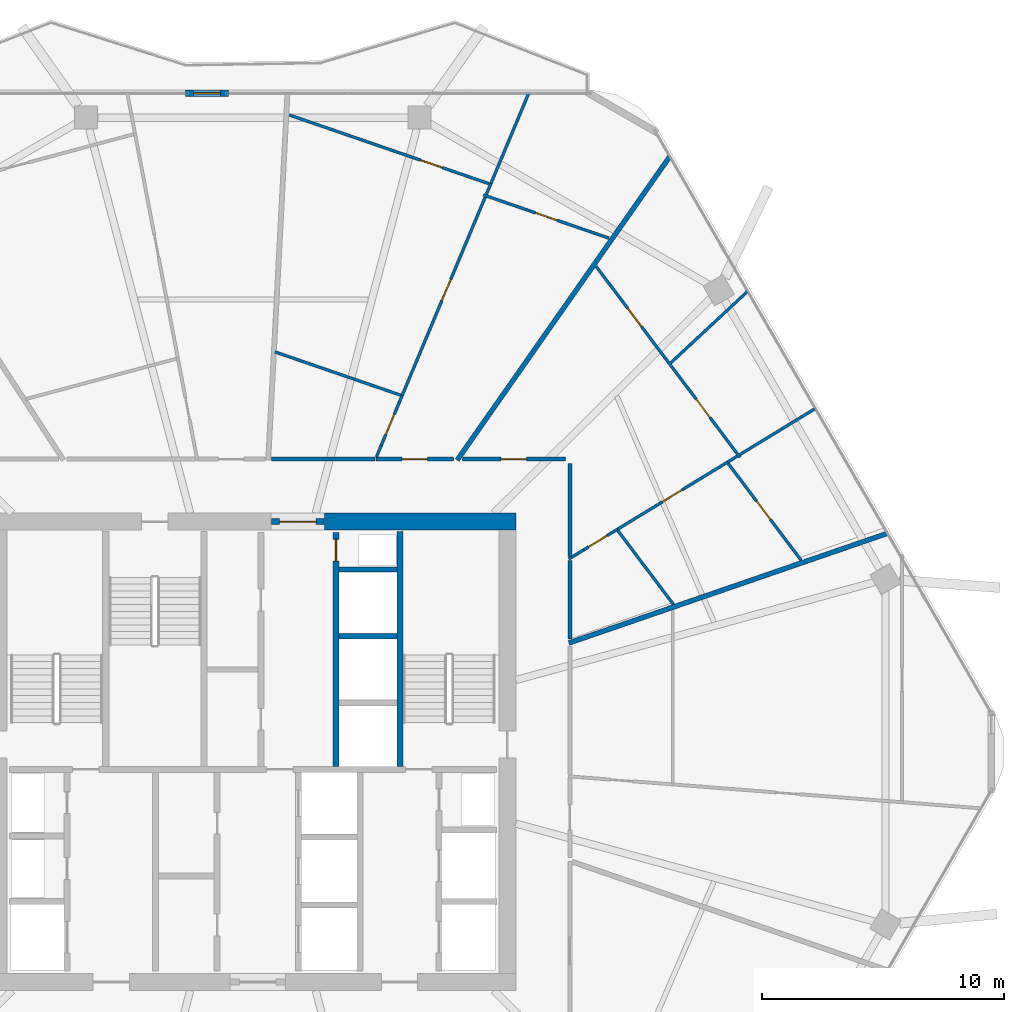
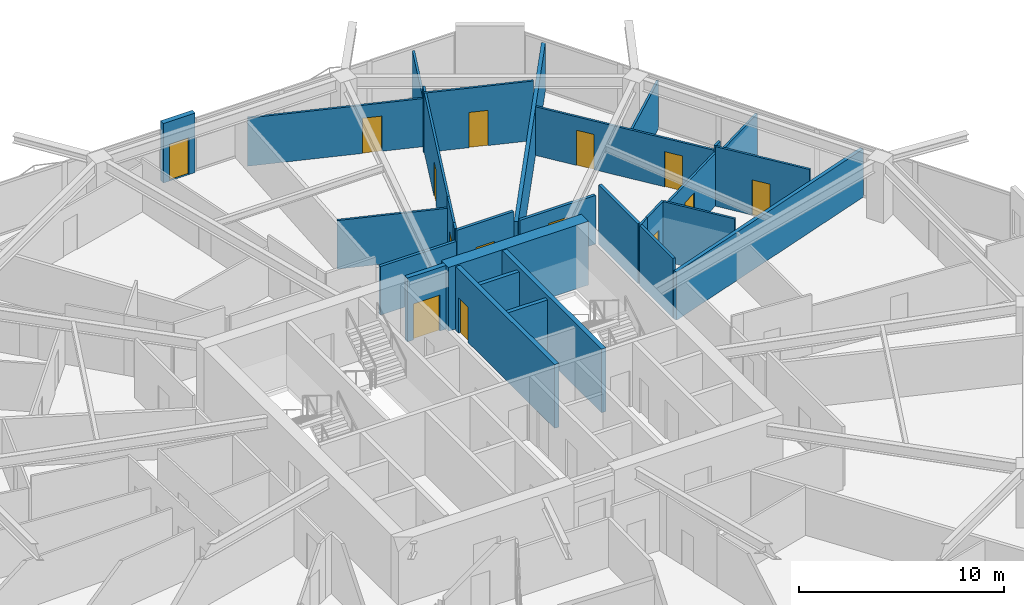
# One storey, part 23 of 27: 31 walls, 14 doors, 14 openings.
"""IFC4 building model written with IfcOpenShell, lengths in metres."""

from ifc_helpers import new_model, si_unit, direction, frame, frame_2d, origin, place, context, subcontext, project, spatial, rectangle, extrude, material, layer, layer_set, type_object, element, fill, save


model = new_model("IFC4")

# Units and contexts
model_context = context("Model", 3, precision=1e-05, world=origin(), true_north=direction((0.0, 1.0)))
body_context = subcontext(model_context, "Body", "Model", "MODEL_VIEW")
ifc_project = project(units=[si_unit("LENGTHUNIT", "METRE"), si_unit("AREAUNIT", "SQUARE_METRE"), si_unit("VOLUMEUNIT", "CUBIC_METRE"), si_unit("PLANEANGLEUNIT", "RADIAN"), si_unit("MASSUNIT", "GRAM", prefix="KILO")], contexts=[model_context])

# Site, building, storey
site_placement = place(None, origin())
site = spatial("IfcSite", under=ifc_project, at=site_placement, CompositionType="ELEMENT")
building_placement = place(site_placement, origin())
building = spatial("IfcBuilding", under=site, at=building_placement, Name="Zuhravey Tower", CompositionType="ELEMENT")
storey_placement = place(building_placement, frame((0.0, 0.0, 218.800048828125)))
storey = spatial("IfcBuildingStorey", under=building, at=storey_placement, Name="L55", CompositionType="ELEMENT", Elevation=218.800048828125)

# Wall
ifc_material_1 = material(Name="Concrete C60/75", Category="concrete")
ifc_layer_1 = layer(ifc_material_1, 0.699951171875)
ifc_layer_set_1 = layer_set([ifc_layer_1], Name="Concrete C60/75")
wall_type_1 = type_object("IfcWallType", Name="Core Shear Wall 700", PredefinedType="SHEAR", material=ifc_layer_set_1)
wall_1_placement = place(storey_placement, frame((46.85009765625, 41.5, 0.0), z_axis=(0.0, 0.0, 1.0), x_axis=(-1.0, 0.0, 0.0)))
element("IfcWall", 1, at=wall_1_placement, inside=storey, type_object=wall_type_1, Name="L55 North-East Core Shear Wall CW70", PredefinedType="SHEAR", context=body_context, shape_type="SweptSolid", body=[
    extrude(rectangle(XDim=7.900146484375, YDim=0.699951171875, at=frame_2d((3.9501953125, 0.0))), origin(), (0.0, 0.0, 1.0), 3.800048828125),
])

# Wall, opening, door
ifc_material_2 = material(Name="Gypsum fire-rated stud partition")
ifc_layer_2 = layer(ifc_material_2, 0.159912109375)
ifc_layer_set_2 = layer_set([ifc_layer_2], Name="Gypsum fire-rated stud partition")
wall_type_2 = type_object("IfcWallType", Name="Corridor Fire Partition 160", PredefinedType="PARTITIONING", material=ifc_layer_set_2)
wall_2_placement = place(storey_placement, frame((48.89990234375, 44.080078125, 0.0), z_axis=(0.0, 0.0, 1.0), x_axis=(-1.0, 0.0, 0.0)))
wall_2 = element("IfcWall", 2, at=wall_2_placement, inside=storey, type_object=wall_type_2, Name="L55 IW16 Partition 024", PredefinedType="PARTITIONING", context=body_context, shape_type="SweptSolid", body=[
    extrude(rectangle(XDim=4.2587890625, YDim=0.159912109375, at=frame_2d((2.12939453125, 0.0))), origin(), (0.0, 0.0, 1.0), 2.89990234375),
])
opening_1_placement = place(wall_2_placement, frame((1.6044921875, 0.0, 0.0)))
opening_1 = element("IfcOpeningElement", 3, at=opening_1_placement, cuts=wall_2, Name="Opening APD1", PredefinedType="OPENING", context=body_context, shape_type="SweptSolid", body=[
    extrude(rectangle(XDim=1.050048828125, YDim=2.14990234375, at=frame_2d((0.52490234375, 1.074951171875))), frame((0.0, 0.092041015625, 0.0), z_axis=(0.0, -1.0, 0.0), x_axis=(1.0, 0.0, 0.0)), (0.0, 0.0, 1.0), 0.183837890625),
])
ifc_material_3 = material(Name="Solid-core oak fire-rated leaf")
door_type_1 = type_object("IfcDoorType", Name="Apartment Entrance Fire Door 1050x2150", OperationType="NOTDEFINED", PredefinedType="DOOR", material=ifc_material_3)
door_1_placement = place(opening_1_placement, frame((1.050048828125, 0.0, 0.0), z_axis=(0.0, 0.0, 1.0), x_axis=(-1.0, 0.0, 0.0)))
door_1 = element("IfcDoor", 4, at=door_1_placement, inside=storey, type_object=door_type_1, Name="L55 Door 024.1", OperationType="SINGLE_SWING_RIGHT", OverallHeight=2.14990234375, OverallWidth=1.050048828125, PredefinedType="DOOR", context=body_context, shape_type="SweptSolid", body=[
    extrude(rectangle(XDim=1.050048828125, YDim=2.14990234375, at=frame_2d((0.52490234375, 1.074951171875))), frame((0.0, 0.02490234375, 0.0), z_axis=(0.0, -1.0, 0.0), x_axis=(1.0, 0.0, 0.0)), (0.0, 0.0, 1.0), 0.050048828125),
])
fill(opening_1, door_1)

wall_3_placement = place(storey_placement, frame((44.278076171875, 44.080078125, 0.0), z_axis=(0.0, 0.0, 1.0), x_axis=(-1.0, 0.0, 0.0)))
wall_3 = element("IfcWall", 5, at=wall_3_placement, inside=storey, type_object=wall_type_2, Name="L55 IW16 Partition 030", PredefinedType="PARTITIONING", context=body_context, shape_type="SweptSolid", body=[
    extrude(rectangle(XDim=3.1982421875, YDim=0.159912109375, at=frame_2d((1.59912109375, 0.0))), origin(), (0.0, 0.0, 1.0), 3.550048828125),
])
opening_2_placement = place(wall_3_placement, frame((1.07421875, 0.0, 0.0)))
opening_2 = element("IfcOpeningElement", 6, at=opening_2_placement, cuts=wall_3, Name="Opening APD1", PredefinedType="OPENING", context=body_context, shape_type="SweptSolid", body=[
    extrude(rectangle(XDim=1.050048828125, YDim=2.14990234375, at=frame_2d((0.52490234375, 1.074951171875))), frame((0.0, 0.092041015625, 0.0), z_axis=(0.0, -1.0, 0.0), x_axis=(1.0, 0.0, 0.0)), (0.0, 0.0, 1.0), 0.183837890625),
])
door_2_placement = place(opening_2_placement, frame((1.050048828125, 0.0, 0.0), z_axis=(0.0, 0.0, 1.0), x_axis=(-1.0, 0.0, 0.0)))
door_2 = element("IfcDoor", 7, at=door_2_placement, inside=storey, type_object=door_type_1, Name="L55 Door 030.1", OperationType="SINGLE_SWING_LEFT", OverallHeight=2.14990234375, OverallWidth=1.050048828125, PredefinedType="DOOR", context=body_context, shape_type="SweptSolid", body=[
    extrude(rectangle(XDim=1.050048828125, YDim=2.14990234375, at=frame_2d((0.52490234375, 1.074951171875))), frame((0.0, 0.02490234375, 0.0), z_axis=(0.0, -1.0, 0.0), x_axis=(1.0, 0.0, 0.0)), (0.0, 0.0, 1.0), 0.050048828125),
])
fill(opening_2, door_2)

# Walls
wall_4_placement = place(storey_placement, frame((49.080078125, 40.063720703125, 0.0), z_axis=(0.0, 0.0, 1.0), x_axis=(0.0, 1.0, 0.0)))
element("IfcWall", 8, at=wall_4_placement, inside=storey, type_object=wall_type_2, Name="L55 IW16 Partition 113", PredefinedType="PARTITIONING", context=body_context, shape_type="SweptSolid", body=[
    extrude(rectangle(XDim=3.836181640625, YDim=0.159912109375, at=frame_2d((1.91796875, 0.0))), origin(), (0.0, 0.0, 1.0), 3.550048828125),
])
wall_5_placement = place(storey_placement, frame((49.080078125, 36.653076171875, 0.0), z_axis=(0.0, 0.0, 1.0), x_axis=(0.0, 1.0, 0.0)))
element("IfcWall", 9, at=wall_5_placement, inside=storey, type_object=wall_type_2, Name="L55 IW16 Partition 114", PredefinedType="PARTITIONING", context=body_context, shape_type="SweptSolid", body=[
    extrude(rectangle(XDim=3.251220703125, YDim=0.159912109375, at=frame_2d((1.62548828125, 0.0))), origin(), (0.0, 0.0, 1.0), 3.550048828125),
])
wall_6_placement = place(storey_placement, frame((41.036376953125, 44.080078125, 0.0), z_axis=(0.0, 0.0, 1.0), x_axis=(-1.0, 0.0, 0.0)))
element("IfcWall", 10, at=wall_6_placement, inside=storey, type_object=wall_type_2, Name="L55 IW16 Partition 115", PredefinedType="PARTITIONING", context=body_context, shape_type="SweptSolid", body=[
    extrude(rectangle(XDim=4.277587890625, YDim=0.159912109375, at=frame_2d((2.138671875, 0.0))), origin(), (0.0, 0.0, 1.0), 2.89990234375),
])

# Wall, opening, door
ifc_material_4 = material(Name="Precast concrete C40/50", Category="concrete")
ifc_layer_3 = layer(ifc_material_4, 0.280029296875)
ifc_layer_set_3 = layer_set([ifc_layer_3], Name="Precast concrete C40/50")
wall_type_3 = type_object("IfcWallType", Name="Crown Architectural Wall 280", PredefinedType="SOLIDWALL", material=ifc_layer_set_3)
wall_7_placement = place(storey_placement, frame((33.20703125, 59.18310546875, 0.0), z_axis=(0.0, 0.0, 1.0), x_axis=(1.0, 0.0, 0.0)))
wall_7 = element("IfcWall", 11, at=wall_7_placement, inside=storey, type_object=wall_type_3, Name="L55 Face 2 Facade Pier EW28-1", PredefinedType="SOLIDWALL", context=body_context, shape_type="SweptSolid", body=[
    extrude(rectangle(XDim=1.7900390625, YDim=0.280029296875, at=frame_2d((0.89501953125, 0.0))), origin(), (0.0, 0.0, 1.0), 3.550048828125),
])
opening_3_placement = place(wall_7_placement, frame((0.344970703125, 0.0, 0.0)))
opening_3 = element("IfcOpeningElement", 12, at=opening_3_placement, cuts=wall_7, Name="Opening BLD1", PredefinedType="OPENING", context=body_context, shape_type="SweptSolid", body=[
    extrude(rectangle(XDim=1.10009765625, YDim=2.199951171875, at=frame_2d((0.550048828125, 1.10009765625))), frame((0.0, 0.152099609375, 0.0), z_axis=(0.0, -1.0, 0.0), x_axis=(1.0, 0.0, 0.0)), (0.0, 0.0, 1.0), 0.303955078125),
])
ifc_material_5 = material(Name="Thermally broken aluminium and low-E glass", Category="aluminium")
door_type_2 = type_object("IfcDoorType", Name="Balcony & Sky-Tray Glazed Door 1100x2200", OperationType="NOTDEFINED", PredefinedType="DOOR", material=ifc_material_5)
door_3_placement = place(opening_3_placement, frame((1.10009765625, 0.0, 0.0), z_axis=(0.0, 0.0, 1.0), x_axis=(-1.0, 0.0, 0.0)))
door_3 = element("IfcDoor", 13, at=door_3_placement, inside=storey, type_object=door_type_2, Name="L55 Face 2 Wave Balcony Door", OperationType="SINGLE_SWING_RIGHT", OverallHeight=2.199951171875, OverallWidth=1.10009765625, PredefinedType="DOOR", context=body_context, shape_type="SweptSolid", body=[
    extrude(rectangle(XDim=1.10009765625, YDim=2.199951171875, at=frame_2d((0.550048828125, 1.10009765625))), frame((0.0, 0.02490234375, 0.0), z_axis=(0.0, -1.0, 0.0), x_axis=(1.0, 0.0, 0.0)), (0.0, 0.0, 1.0), 0.050048828125),
])
fill(opening_3, door_3)

ifc_material_6 = material(Name="Concrete C50/60", Category="concrete")
ifc_layer_4 = layer(ifc_material_6, 0.25)
ifc_layer_set_4 = layer_set([ifc_layer_4], Name="Concrete C50/60")
wall_type_4 = type_object("IfcWallType", Name="Firefighting Shaft & Stair Wall 250", PredefinedType="SOLIDWALL", material=ifc_layer_set_4)
wall_8_placement = place(storey_placement, frame((36.760009765625, 41.5, 0.0), z_axis=(0.0, 0.0, 1.0), x_axis=(1.0, 0.0, 0.0)))
wall_8 = element("IfcWall", 14, at=wall_8_placement, inside=storey, type_object=wall_type_4, Name="L55 FW25 Shaft Wall 002", PredefinedType="SOLIDWALL", context=body_context, shape_type="SweptSolid", body=[
    extrude(rectangle(XDim=2.179931640625, YDim=0.25, at=frame_2d((1.08984375, 0.0))), origin(), (0.0, 0.0, 1.0), 3.800048828125),
])
opening_4_placement = place(wall_8_placement, frame((0.340087890625, 0.0, 0.0)))
opening_4 = element("IfcOpeningElement", 15, at=opening_4_placement, cuts=wall_8, Name="Opening FFD1", PredefinedType="OPENING", context=body_context, shape_type="SweptSolid", body=[
    extrude(rectangle(XDim=1.5, YDim=2.14990234375, at=frame_2d((0.75, 1.074951171875))), frame((0.0, 0.136962890625, 0.0), z_axis=(0.0, -1.0, 0.0), x_axis=(1.0, 0.0, 0.0)), (0.0, 0.0, 1.0), 0.27392578125),
])
ifc_material_7 = material(Name="Galvanised fire-rated steel leaf", Category="steel")
door_type_3 = type_object("IfcDoorType", Name="Firefighting Lobby Double Door 1500x2150", OperationType="DOUBLE_DOOR_SINGLE_SWING", PredefinedType="DOOR", material=ifc_material_7)
door_4_placement = place(opening_4_placement, origin())
door_4 = element("IfcDoor", 16, at=door_4_placement, inside=storey, type_object=door_type_3, Name="L55 North Lift Lobby Exit Door", OperationType="DOUBLE_DOOR_SINGLE_SWING", OverallHeight=2.14990234375, OverallWidth=1.5, PredefinedType="DOOR", context=body_context, shape_type="SweptSolid", body=[
    extrude(rectangle(XDim=1.5, YDim=2.14990234375, at=frame_2d((0.75, 1.074951171875))), frame((0.0, 0.02490234375, 0.0), z_axis=(0.0, -1.0, 0.0), x_axis=(1.0, 0.0, 0.0)), (0.0, 0.0, 1.0), 0.050048828125),
])
fill(opening_4, door_4)

# Wall
wall_9_placement = place(storey_placement, frame((42.074951171875, 31.39990234375, 0.0), z_axis=(0.0, 0.0, 1.0), x_axis=(0.0, 1.0, 0.0)))
element("IfcWall", 17, at=wall_9_placement, inside=storey, type_object=wall_type_4, Name="L55 FW25 Shaft Wall 006", PredefinedType="SOLIDWALL", context=body_context, shape_type="SweptSolid", body=[
    extrude(rectangle(XDim=9.7001953125, YDim=0.25, at=frame_2d((4.85009765625, 0.0))), origin(), (0.0, 0.0, 1.0), 3.800048828125),
])

# Wall, opening, door
wall_10_placement = place(storey_placement, frame((39.425048828125, 31.39990234375, 0.0), z_axis=(0.0, 0.0, 1.0), x_axis=(0.0, 1.0, 0.0)))
wall_10 = element("IfcWall", 18, at=wall_10_placement, inside=storey, type_object=wall_type_4, Name="L55 FW25 Shaft Wall 008", PredefinedType="SOLIDWALL", context=body_context, shape_type="SweptSolid", body=[
    extrude(rectangle(XDim=9.650146484375, YDim=0.25, at=frame_2d((4.8251953125, 0.0))), origin(), (0.0, 0.0, 1.0), 3.800048828125),
])
opening_5_placement = place(wall_10_placement, frame((8.469970703125, 0.0, 0.0)))
opening_5 = element("IfcOpeningElement", 19, at=opening_5_placement, cuts=wall_10, Name="Opening RSD1", PredefinedType="OPENING", context=body_context, shape_type="SweptSolid", body=[
    extrude(rectangle(XDim=0.89990234375, YDim=2.10009765625, at=frame_2d((0.449951171875, 1.050048828125))), frame((0.0, 0.136962890625, 0.0), z_axis=(0.0, -1.0, 0.0), x_axis=(1.0, 0.0, 0.0)), (0.0, 0.0, 1.0), 0.27392578125),
])
ifc_material_8 = material(Name="Galvanised fire-rated steel access leaf", Category="steel")
door_type_4 = type_object("IfcDoorType", Name="Riser & Shaft Access Fire Door 900x2100", OperationType="NOTDEFINED", PredefinedType="DOOR", material=ifc_material_8)
door_5_placement = place(opening_5_placement, origin())
door_5 = element("IfcDoor", 20, at=door_5_placement, inside=storey, type_object=door_type_4, Name="L55 North Riser Door", OperationType="SINGLE_SWING_LEFT", OverallHeight=2.10009765625, OverallWidth=0.89990234375, PredefinedType="DOOR", context=body_context, shape_type="SweptSolid", body=[
    extrude(rectangle(XDim=0.89990234375, YDim=2.10009765625, at=frame_2d((0.449951171875, 1.050048828125))), frame((0.0, 0.02490234375, 0.0), z_axis=(0.0, -1.0, 0.0), x_axis=(1.0, 0.0, 0.0)), (0.0, 0.0, 1.0), 0.050048828125),
])
fill(opening_5, door_5)

# Walls
ifc_material_9 = material(Name="Gypsum double-stud party assembly")
ifc_layer_5 = layer(ifc_material_9, 0.199951171875)
ifc_layer_set_5 = layer_set([ifc_layer_5], Name="Gypsum double-stud party assembly")
wall_type_5 = type_object("IfcWallType", Name="Inter-Tenancy Party Wall 200", PredefinedType="PARTITIONING", material=ifc_layer_set_5)
wall_11_placement = place(storey_placement, frame((49.0400390625, 36.489990234375, 0.0), z_axis=(0.0, 0.0, 1.0), x_axis=(0.94551604925, 0.325575491417, 0.0)))
element("IfcWall", 21, at=wall_11_placement, inside=storey, type_object=wall_type_5, Name="L55 IW20 Partition 069", PredefinedType="PARTITIONING", context=body_context, shape_type="SweptSolid", body=[
    extrude(rectangle(XDim=13.900390625, YDim=0.199951171875, at=frame_2d((6.9501953125, 0.0))), origin(), (0.0, 0.0, 1.0), 2.869873046875),
])
wall_12_placement = place(storey_placement, frame((44.430419921875, 44.0400390625, 0.0), z_axis=(0.0, 0.0, 1.0), x_axis=(0.573576964884, 0.819151674206, 0.0)))
element("IfcWall", 22, at=wall_12_placement, inside=storey, type_object=wall_type_5, Name="L55 IW20 Partition 075", PredefinedType="PARTITIONING", context=body_context, shape_type="SweptSolid", body=[
    extrude(rectangle(XDim=15.295166015625, YDim=0.199951171875, at=frame_2d((7.6474609375, 0.0))), origin(), (0.0, 0.0, 1.0), 2.869873046875),
])
ifc_material_10 = material(Name="Gypsum acoustic stud assembly")
ifc_layer_6 = layer(ifc_material_10, 0.219970703125)
ifc_layer_set_6 = layer_set([ifc_layer_6], Name="Gypsum acoustic stud assembly")
wall_type_6 = type_object("IfcWallType", Name="School Acoustic Compartment Wall 220", PredefinedType="PARTITIONING", material=ifc_layer_set_6)
for number, where, z_axis, x_axis, name in (
    (23, (39.55810546875, 36.77490234375, 0.0), (0.0, 0.0, 1.0), (1.0, 0.0, 0.0), "L55 IW22 Partition 065"),
    (24, (39.55810546875, 39.52490234375, 0.0), (0.0, 0.0, 1.0), (1.0, 0.0, 0.0), "L55 IW22 Partition 066"),
):
    element("IfcWall", number, at=place(storey_placement, frame(where, z_axis=z_axis, x_axis=x_axis)), inside=storey, type_object=wall_type_6, Name=name, PredefinedType="PARTITIONING", context=body_context, shape_type="SweptSolid", body=[
        extrude(rectangle(XDim=2.3837890625, YDim=0.219970703125, at=frame_2d((1.19189453125, 0.0))), origin(), (0.0, 0.0, 1.0), 3.550048828125),
    ])

# Wall, openings, doors
ifc_material_11 = material(Name="Gypsum metal-stud partition")
ifc_layer_7 = layer(ifc_material_11, 0.1201171875)
ifc_layer_set_7 = layer_set([ifc_layer_7], Name="Gypsum metal-stud partition")
wall_type_7 = type_object("IfcWallType", Name="Unit Internal Partition 120", PredefinedType="PARTITIONING", material=ifc_layer_set_7)
wall_13_placement = place(storey_placement, frame((56.10205078125, 44.1533203125, 0.0), z_axis=(0.0, 0.0, 1.0), x_axis=(-0.601823931742, 0.798628796865, 0.0)))
wall_13 = element("IfcWall", 25, at=wall_13_placement, inside=storey, type_object=wall_type_7, Name="L55 IW12 Partition 020", PredefinedType="PARTITIONING", context=body_context, shape_type="SweptSolid", body=[
    extrude(rectangle(XDim=9.86474609375, YDim=0.1201171875, at=frame_2d((4.932373046875, 0.0))), origin(), (0.0, 0.0, 1.0), 2.89990234375),
])
opening_6_placement = place(wall_13_placement, frame((2.059326171875, 0.0, 0.0)))
opening_6 = element("IfcOpeningElement", 26, at=opening_6_placement, cuts=wall_13, Name="Opening IND1", PredefinedType="OPENING", context=body_context, shape_type="SweptSolid", body=[
    extrude(rectangle(XDim=0.949951171875, YDim=2.10009765625, at=frame_2d((0.47509765625, 1.050048828125))), frame((0.0, 0.072021484375, 0.0), z_axis=(0.0, -1.0, 0.0), x_axis=(1.0, 0.0, 0.0)), (0.0, 0.0, 1.0), 0.14404296875),
])
opening_7_placement = place(wall_13_placement, frame((6.7509765625, 0.0, 0.0)))
opening_7 = element("IfcOpeningElement", 27, at=opening_7_placement, cuts=wall_13, Name="Opening IND1", PredefinedType="OPENING", context=body_context, shape_type="SweptSolid", body=[
    extrude(rectangle(XDim=0.949951171875, YDim=2.10009765625, at=frame_2d((0.47509765625, 1.050048828125))), frame((0.0, 0.072021484375, 0.0), z_axis=(0.0, -1.0, 0.0), x_axis=(1.0, 0.0, 0.0)), (0.0, 0.0, 1.0), 0.14404296875),
])
ifc_material_12 = material(Name="Painted engineered timber leaf", Category="wood")
door_type_5 = type_object("IfcDoorType", Name="Internal Room & Bedroom Door 950x2100", OperationType="NOTDEFINED", PredefinedType="DOOR", material=ifc_material_12)
door_6_placement = place(opening_6_placement, frame((0.949951171875, 0.0, 0.0), z_axis=(0.0, 0.0, 1.0), x_axis=(-1.0, 0.0, 0.0)))
door_6 = element("IfcDoor", 28, at=door_6_placement, inside=storey, type_object=door_type_5, Name="Apartment L55-01 Family Study Door", OperationType="SINGLE_SWING_LEFT", OverallHeight=2.10009765625, OverallWidth=0.949951171875, PredefinedType="DOOR", context=body_context, shape_type="SweptSolid", body=[
    extrude(rectangle(XDim=0.949951171875, YDim=2.10009765625, at=frame_2d((0.47509765625, 1.050048828125))), frame((0.0, 0.02490234375, 0.0), z_axis=(0.0, -1.0, 0.0), x_axis=(1.0, 0.0, 0.0)), (0.0, 0.0, 1.0), 0.050048828125),
])
fill(opening_6, door_6)
door_7_placement = place(opening_7_placement, frame((0.949951171875, 0.0, 0.0), z_axis=(0.0, 0.0, 1.0), x_axis=(-1.0, 0.0, 0.0)))
door_7 = element("IfcDoor", 29, at=door_7_placement, inside=storey, type_object=door_type_5, Name="Apartment L55-01 Dining Room Door", OperationType="SINGLE_SWING_RIGHT", OverallHeight=2.10009765625, OverallWidth=0.949951171875, PredefinedType="DOOR", context=body_context, shape_type="SweptSolid", body=[
    extrude(rectangle(XDim=0.949951171875, YDim=2.10009765625, at=frame_2d((0.47509765625, 1.050048828125))), frame((0.0, 0.02490234375, 0.0), z_axis=(0.0, -1.0, 0.0), x_axis=(1.0, 0.0, 0.0)), (0.0, 0.0, 1.0), 0.050048828125),
])
fill(opening_7, door_7)

# Wall, opening, door
wall_14_placement = place(storey_placement, frame((49.64990234375, 40.33203125, 0.0), z_axis=(0.0, 0.0, 1.0), x_axis=(0.853576385117, 0.520967709911, 0.0)))
wall_14 = element("IfcWall", 30, at=wall_14_placement, inside=storey, type_object=wall_type_7, Name="L55 IW12 Partition 021", PredefinedType="PARTITIONING", context=body_context, shape_type="SweptSolid", body=[
    extrude(rectangle(XDim=1.638427734375, YDim=0.1201171875, at=frame_2d((0.8193359375, 0.0))), origin(), (0.0, 0.0, 1.0), 3.550048828125),
])
opening_8_placement = place(wall_14_placement, frame((0.238037109375, 0.0, 0.0)))
opening_8 = element("IfcOpeningElement", 31, at=opening_8_placement, cuts=wall_14, Name="Opening WCD1", PredefinedType="OPENING", context=body_context, shape_type="SweptSolid", body=[
    extrude(rectangle(XDim=0.89990234375, YDim=2.10009765625, at=frame_2d((0.449951171875, 1.050048828125))), frame((0.0, 0.072021484375, 0.0), z_axis=(0.0, -1.0, 0.0), x_axis=(1.0, 0.0, 0.0)), (0.0, 0.0, 1.0), 0.14404296875),
])
ifc_material_13 = material(Name="Moisture-resistant timber leaf", Category="wood")
door_type_6 = type_object("IfcDoorType", Name="Bathroom & WC Internal Door 900x2100", OperationType="NOTDEFINED", PredefinedType="DOOR", material=ifc_material_13)
door_8_placement = place(opening_8_placement, frame((0.89990234375, 0.0, 0.0), z_axis=(0.0, 0.0, 1.0), x_axis=(-1.0, 0.0, 0.0)))
door_8 = element("IfcDoor", 32, at=door_8_placement, inside=storey, type_object=door_type_6, Name="Apartment L55-01 Bathroom Door", OperationType="SINGLE_SWING_LEFT", OverallHeight=2.10009765625, OverallWidth=0.89990234375, PredefinedType="DOOR", context=body_context, shape_type="SweptSolid", body=[
    extrude(rectangle(XDim=0.89990234375, YDim=2.10009765625, at=frame_2d((0.449951171875, 1.050048828125))), frame((0.0, 0.02490234375, 0.0), z_axis=(0.0, -1.0, 0.0), x_axis=(1.0, 0.0, 0.0)), (0.0, 0.0, 1.0), 0.050048828125),
])
fill(opening_8, door_8)

wall_15_placement = place(storey_placement, frame((51.04833984375, 41.185546875, 0.0), z_axis=(0.0, 0.0, 1.0), x_axis=(0.853552291935, 0.521007183187, 0.0)))
wall_15 = element("IfcWall", 33, at=wall_15_placement, inside=storey, type_object=wall_type_7, Name="L55 IW12 Partition 022", PredefinedType="PARTITIONING", context=body_context, shape_type="SweptSolid", body=[
    extrude(rectangle(XDim=5.330810546875, YDim=0.1201171875, at=frame_2d((2.66552734375, 0.0))), origin(), (0.0, 0.0, 1.0), 3.14990234375),
])
opening_9_placement = place(wall_15_placement, frame((2.165283203125, 0.0, 0.0)))
opening_9 = element("IfcOpeningElement", 34, at=opening_9_placement, cuts=wall_15, Name="Opening IND1", PredefinedType="OPENING", context=body_context, shape_type="SweptSolid", body=[
    extrude(rectangle(XDim=0.949951171875, YDim=2.10009765625, at=frame_2d((0.47509765625, 1.050048828125))), frame((0.0, 0.072021484375, 0.0), z_axis=(0.0, -1.0, 0.0), x_axis=(1.0, 0.0, 0.0)), (0.0, 0.0, 1.0), 0.14404296875),
])
door_9_placement = place(opening_9_placement, frame((0.949951171875, 0.0, 0.0), z_axis=(0.0, 0.0, 1.0), x_axis=(-1.0, 0.0, 0.0)))
door_9 = element("IfcDoor", 35, at=door_9_placement, inside=storey, type_object=door_type_5, Name="Apartment L55-01 Home Office Door", OperationType="SINGLE_SWING_RIGHT", OverallHeight=2.10009765625, OverallWidth=0.949951171875, PredefinedType="DOOR", context=body_context, shape_type="SweptSolid", body=[
    extrude(rectangle(XDim=0.949951171875, YDim=2.10009765625, at=frame_2d((0.47509765625, 1.050048828125))), frame((0.0, 0.02490234375, 0.0), z_axis=(0.0, -1.0, 0.0), x_axis=(1.0, 0.0, 0.0)), (0.0, 0.0, 1.0), 0.050048828125),
])
fill(opening_9, door_9)

wall_16_placement = place(storey_placement, frame((58.62451171875, 39.90576171875, 0.0), z_axis=(0.0, 0.0, 1.0), x_axis=(-0.60182042423, 0.798631440015, 0.0)))
wall_16 = element("IfcWall", 36, at=wall_16_placement, inside=storey, type_object=wall_type_7, Name="L55 IW12 Partition 023", PredefinedType="PARTITIONING", context=body_context, shape_type="SweptSolid", body=[
    extrude(rectangle(XDim=4.995361328125, YDim=0.1201171875, at=frame_2d((2.49755859375, 0.0))), origin(), (0.0, 0.0, 1.0), 3.550048828125),
])
opening_10_placement = place(wall_16_placement, frame((2.107177734375, 0.0, 0.0)))
opening_10 = element("IfcOpeningElement", 37, at=opening_10_placement, cuts=wall_16, Name="Opening IND1", PredefinedType="OPENING", context=body_context, shape_type="SweptSolid", body=[
    extrude(rectangle(XDim=0.949951171875, YDim=2.10009765625, at=frame_2d((0.47509765625, 1.050048828125))), frame((0.0, 0.072021484375, 0.0), z_axis=(0.0, -1.0, 0.0), x_axis=(1.0, 0.0, 0.0)), (0.0, 0.0, 1.0), 0.14404296875),
])
door_10_placement = place(opening_10_placement, frame((0.949951171875, 0.0, 0.0), z_axis=(0.0, 0.0, 1.0), x_axis=(-1.0, 0.0, 0.0)))
door_10 = element("IfcDoor", 38, at=door_10_placement, inside=storey, type_object=door_type_5, Name="Apartment L55-01 Bedroom 1 Door", OperationType="SINGLE_SWING_LEFT", OverallHeight=2.10009765625, OverallWidth=0.949951171875, PredefinedType="DOOR", context=body_context, shape_type="SweptSolid", body=[
    extrude(rectangle(XDim=0.949951171875, YDim=2.10009765625, at=frame_2d((0.47509765625, 1.050048828125))), frame((0.0, 0.02490234375, 0.0), z_axis=(0.0, -1.0, 0.0), x_axis=(1.0, 0.0, 0.0)), (0.0, 0.0, 1.0), 0.050048828125),
])
fill(opening_10, door_10)

wall_17_placement = place(storey_placement, frame((50.692138671875, 53.20068359375, 0.0), z_axis=(0.0, 0.0, 1.0), x_axis=(-0.945511260009, 0.325589399698, 0.0)))
wall_17 = element("IfcWall", 39, at=wall_17_placement, inside=storey, type_object=wall_type_7, Name="L55 IW12 Partition 025", PredefinedType="PARTITIONING", context=body_context, shape_type="SweptSolid", body=[
    extrude(rectangle(XDim=5.475341796875, YDim=0.1201171875, at=frame_2d((2.73779296875, 0.0))), origin(), (0.0, 0.0, 1.0), 3.550048828125),
])
opening_11_placement = place(wall_17_placement, frame((2.2626953125, 0.0, 0.0)))
opening_11 = element("IfcOpeningElement", 40, at=opening_11_placement, cuts=wall_17, Name="Opening IND1", PredefinedType="OPENING", context=body_context, shape_type="SweptSolid", body=[
    extrude(rectangle(XDim=0.949951171875, YDim=2.10009765625, at=frame_2d((0.47509765625, 1.050048828125))), frame((0.0, 0.072021484375, 0.0), z_axis=(0.0, -1.0, 0.0), x_axis=(1.0, 0.0, 0.0)), (0.0, 0.0, 1.0), 0.14404296875),
])
door_11_placement = place(opening_11_placement, frame((0.949951171875, 0.0, 0.0), z_axis=(0.0, 0.0, 1.0), x_axis=(-1.0, 0.0, 0.0)))
door_11 = element("IfcDoor", 41, at=door_11_placement, inside=storey, type_object=door_type_5, Name="Apartment L55-02 Family Study Door", OperationType="SINGLE_SWING_LEFT", OverallHeight=2.10009765625, OverallWidth=0.949951171875, PredefinedType="DOOR", context=body_context, shape_type="SweptSolid", body=[
    extrude(rectangle(XDim=0.949951171875, YDim=2.10009765625, at=frame_2d((0.47509765625, 1.050048828125))), frame((0.0, 0.02490234375, 0.0), z_axis=(0.0, -1.0, 0.0), x_axis=(1.0, 0.0, 0.0)), (0.0, 0.0, 1.0), 0.050048828125),
])
fill(opening_11, door_11)

wall_18_placement = place(storey_placement, frame((41.296875, 44.64990234375, 0.0), z_axis=(0.0, 0.0, 1.0), x_axis=(0.386243492927, 0.922396858284, 0.0)))
wall_18 = element("IfcWall", 42, at=wall_18_placement, inside=storey, type_object=wall_type_7, Name="L55 IW12 Partition 026", PredefinedType="PARTITIONING", context=body_context, shape_type="SweptSolid", body=[
    extrude(rectangle(XDim=2.245849609375, YDim=0.1201171875, at=frame_2d((1.123046875, 0.0))), origin(), (0.0, 0.0, 1.0), 3.550048828125),
])
opening_12_placement = place(wall_18_placement, frame((0.4931640625, 0.0, 0.0)))
opening_12 = element("IfcOpeningElement", 43, at=opening_12_placement, cuts=wall_18, Name="Opening WCD1", PredefinedType="OPENING", context=body_context, shape_type="SweptSolid", body=[
    extrude(rectangle(XDim=0.89990234375, YDim=2.10009765625, at=frame_2d((0.449951171875, 1.050048828125))), frame((0.0, 0.072021484375, 0.0), z_axis=(0.0, -1.0, 0.0), x_axis=(1.0, 0.0, 0.0)), (0.0, 0.0, 1.0), 0.14404296875),
])
door_12_placement = place(opening_12_placement, origin())
door_12 = element("IfcDoor", 44, at=door_12_placement, inside=storey, type_object=door_type_6, Name="Apartment L55-02 Bathroom Door", OperationType="SINGLE_SWING_RIGHT", OverallHeight=2.10009765625, OverallWidth=0.89990234375, PredefinedType="DOOR", context=body_context, shape_type="SweptSolid", body=[
    extrude(rectangle(XDim=0.89990234375, YDim=2.10009765625, at=frame_2d((0.449951171875, 1.050048828125))), frame((0.0, 0.02490234375, 0.0), z_axis=(0.0, -1.0, 0.0), x_axis=(1.0, 0.0, 0.0)), (0.0, 0.0, 1.0), 0.050048828125),
])
fill(opening_12, door_12)

wall_19_placement = place(storey_placement, frame((42.164306640625, 46.721435546875, 0.0), z_axis=(0.0, 0.0, 1.0), x_axis=(0.386200840547, 0.922414717337, 0.0)))
wall_19 = element("IfcWall", 45, at=wall_19_placement, inside=storey, type_object=wall_type_7, Name="L55 IW12 Partition 027", PredefinedType="PARTITIONING", context=body_context, shape_type="SweptSolid", body=[
    extrude(rectangle(XDim=8.853515625, YDim=0.1201171875, at=frame_2d((4.4267578125, 0.0))), origin(), (0.0, 0.0, 1.0), 3.550048828125),
])
opening_13_placement = place(wall_19_placement, frame((4.2294921875, 0.0, 0.0)))
opening_13 = element("IfcOpeningElement", 46, at=opening_13_placement, cuts=wall_19, Name="Opening IND1", PredefinedType="OPENING", context=body_context, shape_type="SweptSolid", body=[
    extrude(rectangle(XDim=0.949951171875, YDim=2.10009765625, at=frame_2d((0.47509765625, 1.050048828125))), frame((0.0, 0.072021484375, 0.0), z_axis=(0.0, -1.0, 0.0), x_axis=(1.0, 0.0, 0.0)), (0.0, 0.0, 1.0), 0.14404296875),
])
door_13_placement = place(opening_13_placement, origin())
door_13 = element("IfcDoor", 47, at=door_13_placement, inside=storey, type_object=door_type_5, Name="Apartment L55-02 Home Office Door", OperationType="SINGLE_SWING_LEFT", OverallHeight=2.10009765625, OverallWidth=0.949951171875, PredefinedType="DOOR", context=body_context, shape_type="SweptSolid", body=[
    extrude(rectangle(XDim=0.949951171875, YDim=2.10009765625, at=frame_2d((0.47509765625, 1.050048828125))), frame((0.0, 0.02490234375, 0.0), z_axis=(0.0, -1.0, 0.0), x_axis=(1.0, 0.0, 0.0)), (0.0, 0.0, 1.0), 0.050048828125),
])
fill(opening_13, door_13)

# Wall
wall_20_placement = place(storey_placement, frame((45.63623046875, 55.013671875, 0.0), z_axis=(0.0, 0.0, 1.0), x_axis=(0.38631298857, 0.922367754674, 0.0)))
element("IfcWall", 48, at=wall_20_placement, inside=storey, type_object=wall_type_7, Name="L55 IW12 Partition 028", PredefinedType="PARTITIONING", context=body_context, shape_type="SweptSolid", body=[
    extrude(rectangle(XDim=0.469482421875, YDim=0.1201171875, at=frame_2d((0.23486328125, 0.0))), origin(), (0.0, 0.0, 1.0), 3.550048828125),
])

# Wall, opening, door
wall_21_placement = place(storey_placement, frame((45.743408203125, 55.44580078125, 0.0), z_axis=(0.0, 0.0, 1.0), x_axis=(-0.945509015954, 0.325595916358, 0.0)))
wall_21 = element("IfcWall", 49, at=wall_21_placement, inside=storey, type_object=wall_type_7, Name="L55 IW12 Partition 029", PredefinedType="PARTITIONING", context=body_context, shape_type="SweptSolid", body=[
    extrude(rectangle(XDim=8.710693359375, YDim=0.1201171875, at=frame_2d((4.35546875, 0.0))), origin(), (0.0, 0.0, 1.0), 2.869873046875),
])
opening_14_placement = place(wall_21_placement, frame((2.0400390625, 0.0, 0.0)))
opening_14 = element("IfcOpeningElement", 50, at=opening_14_placement, cuts=wall_21, Name="Opening IND1", PredefinedType="OPENING", context=body_context, shape_type="SweptSolid", body=[
    extrude(rectangle(XDim=0.949951171875, YDim=2.10009765625, at=frame_2d((0.47509765625, 1.050048828125))), frame((0.0, 0.072021484375, 0.0), z_axis=(0.0, -1.0, 0.0), x_axis=(1.0, 0.0, 0.0)), (0.0, 0.0, 1.0), 0.14404296875),
])
door_14_placement = place(opening_14_placement, frame((0.949951171875, 0.0, 0.0), z_axis=(0.0, 0.0, 1.0), x_axis=(-1.0, 0.0, 0.0)))
door_14 = element("IfcDoor", 51, at=door_14_placement, inside=storey, type_object=door_type_5, Name="Apartment L55-02 Kitchen Door", OperationType="SINGLE_SWING_RIGHT", OverallHeight=2.10009765625, OverallWidth=0.949951171875, PredefinedType="DOOR", context=body_context, shape_type="SweptSolid", body=[
    extrude(rectangle(XDim=0.949951171875, YDim=2.10009765625, at=frame_2d((0.47509765625, 1.050048828125))), frame((0.0, 0.02490234375, 0.0), z_axis=(0.0, -1.0, 0.0), x_axis=(1.0, 0.0, 0.0)), (0.0, 0.0, 1.0), 0.050048828125),
])
fill(opening_14, door_14)

# Walls
wall_22_placement = place(storey_placement, frame((53.2470703125, 48.054931640625, 0.0), z_axis=(0.0, 0.0, 1.0), x_axis=(0.731935379079, 0.681374053551, 0.0)))
element("IfcWall", 52, at=wall_22_placement, inside=storey, type_object=wall_type_7, Name="L55 IW12 Partition 070", PredefinedType="PARTITIONING", context=body_context, shape_type="SweptSolid", body=[
    extrude(rectangle(XDim=4.3603515625, YDim=0.1201171875, at=frame_2d((2.18017578125, 0.0))), origin(), (0.0, 0.0, 1.0), 2.869873046875),
])
wall_23_placement = place(storey_placement, frame((49.034912109375, 39.95654296875, 0.0), z_axis=(0.0, 0.0, 1.0), x_axis=(0.853491148884, 0.521107339017, 0.0)))
element("IfcWall", 53, at=wall_23_placement, inside=storey, type_object=wall_type_7, Name="L55 IW12 Partition 071", PredefinedType="PARTITIONING", context=body_context, shape_type="SweptSolid", body=[
    extrude(rectangle(XDim=0.720458984375, YDim=0.1201171875, at=frame_2d((0.3603515625, 0.0))), origin(), (0.0, 0.0, 1.0), 3.550048828125),
])
wall_24_placement = place(storey_placement, frame((55.598388671875, 43.962890625, 0.0), z_axis=(0.0, 0.0, 1.0), x_axis=(0.8534556965, 0.521165399956, 0.0)))
element("IfcWall", 54, at=wall_24_placement, inside=storey, type_object=wall_type_7, Name="L55 IW12 Partition 072", PredefinedType="PARTITIONING", context=body_context, shape_type="SweptSolid", body=[
    extrude(rectangle(XDim=0.451171875, YDim=0.1201171875, at=frame_2d((0.2255859375, 0.0))), origin(), (0.0, 0.0, 1.0), 3.550048828125),
])
wall_25_placement = place(storey_placement, frame((56.099853515625, 44.26904296875, 0.0), z_axis=(0.0, 0.0, 1.0), x_axis=(0.853564621018, 0.520986984239, 0.0)))
element("IfcWall", 55, at=wall_25_placement, inside=storey, type_object=wall_type_7, Name="L55 IW12 Partition 073", PredefinedType="PARTITIONING", context=body_context, shape_type="SweptSolid", body=[
    extrude(rectangle(XDim=3.647705078125, YDim=0.1201171875, at=frame_2d((1.82373046875, 0.0))), origin(), (0.0, 0.0, 1.0), 2.869873046875),
])
wall_26_placement = place(storey_placement, frame((53.350830078125, 38.088623046875, 0.0), z_axis=(0.0, 0.0, 1.0), x_axis=(-0.601810973107, 0.798638561959, 0.0)))
element("IfcWall", 56, at=wall_26_placement, inside=storey, type_object=wall_type_7, Name="L55 IW12 Partition 074", PredefinedType="PARTITIONING", context=body_context, shape_type="SweptSolid", body=[
    extrude(rectangle(XDim=3.79296875, YDim=0.1201171875, at=frame_2d((1.896484375, 0.0))), origin(), (0.0, 0.0, 1.0), 3.550048828125),
])
wall_27_placement = place(storey_placement, frame((41.094970703125, 44.16796875, 0.0), z_axis=(0.0, 0.0, 1.0), x_axis=(0.38640620175, 0.922328708893, 0.0)))
element("IfcWall", 57, at=wall_27_placement, inside=storey, type_object=wall_type_7, Name="L55 IW12 Partition 076", PredefinedType="PARTITIONING", context=body_context, shape_type="SweptSolid", body=[
    extrude(rectangle(XDim=0.5224609375, YDim=0.1201171875, at=frame_2d((0.26123046875, 0.0))), origin(), (0.0, 0.0, 1.0), 3.550048828125),
])
wall_28_placement = place(storey_placement, frame((45.817626953125, 55.44677734375, 0.0), z_axis=(0.0, 0.0, 1.0), x_axis=(0.386222700776, 0.922405564492, 0.0)))
element("IfcWall", 58, at=wall_28_placement, inside=storey, type_object=wall_type_7, Name="L55 IW12 Partition 077", PredefinedType="PARTITIONING", context=body_context, shape_type="SweptSolid", body=[
    extrude(rectangle(XDim=4.0537109375, YDim=0.1201171875, at=frame_2d((2.02685546875, 0.0))), origin(), (0.0, 0.0, 1.0), 2.869873046875),
])
wall_29_placement = place(storey_placement, frame((42.090087890625, 46.720703125, 0.0), z_axis=(0.0, 0.0, 1.0), x_axis=(-0.945518250286, 0.325569099234, 0.0)))
element("IfcWall", 59, at=wall_29_placement, inside=storey, type_object=wall_type_7, Name="L55 IW12 Partition 078", PredefinedType="PARTITIONING", context=body_context, shape_type="SweptSolid", body=[
    extrude(rectangle(XDim=5.4794921875, YDim=0.1201171875, at=frame_2d((2.73974609375, 0.0))), origin(), (0.0, 0.0, 1.0), 2.89990234375),
])

save(model, "model.ifc")
